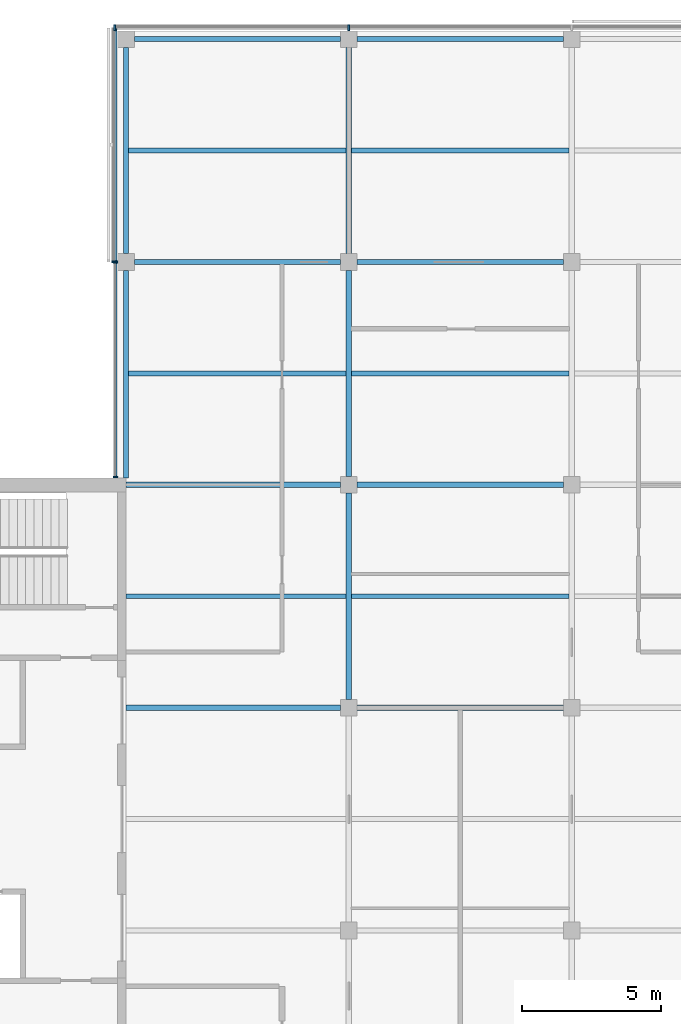
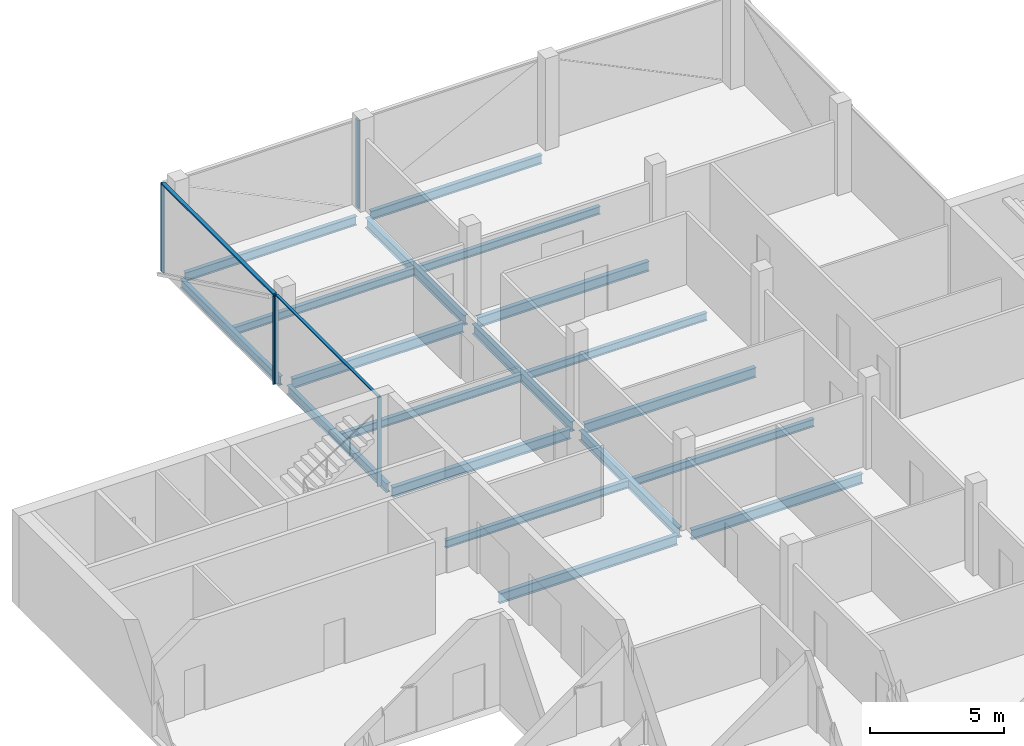
# One storey, part 5 of 16: 19 beams, 7 members, 3 elements without a shape of their own.
"""IFC4 building model written with IfcOpenShell, lengths in metres."""

from ifc_helpers import new_model, si_unit, direction, frame, origin, origin_2d, place, context, subcontext, project, spatial, rectangle, i_section, extrude, material, material_profile, profile_set, type_object, element, aggregate, save


model = new_model("IFC4")

# Units and contexts
model_context = context("Model", 3, precision=1e-05, world=origin(), true_north=direction((0.0, 1.0)))
body_context = subcontext(model_context, "Body", "Model", "MODEL_VIEW")
ifc_project = project(units=[si_unit("LENGTHUNIT", "METRE"), si_unit("AREAUNIT", "SQUARE_METRE"), si_unit("VOLUMEUNIT", "CUBIC_METRE"), si_unit("PLANEANGLEUNIT", "RADIAN"), si_unit("MASSUNIT", "GRAM", prefix="KILO")], contexts=[model_context])

# Site, building, storey
site_placement = place(None, origin())
site = spatial("IfcSite", under=ifc_project, at=site_placement, CompositionType="ELEMENT")
building_placement = place(site_placement, origin())
building = spatial("IfcBuilding", under=site, at=building_placement, Name="Crosswind Convention Tower", CompositionType="ELEMENT")
storey_placement = place(building_placement, frame((0.0, 0.0, 299.699951171875)))
storey = spatial("IfcBuildingStorey", under=building, at=storey_placement, Name="L65", CompositionType="ELEMENT", Elevation=299.699951171875)

# Beams
ifc_material_1 = material(Name="Steel S355", Category="steel")
ifc_material_profile_1 = material_profile(ifc_material_1, i_section(OverallWidth=0.177734375, OverallDepth=0.406494140625, WebThickness=0.0078125, FlangeThickness=0.0126953125, FilletRadius=0.01025390625, at=origin_2d()), Name="UB 406x178x60")
ifc_profile_set_1 = profile_set([ifc_material_profile_1], Name="Steel S355")
beam_type_1 = type_object("IfcBeamType", Name="Edge beam UB 406x178x60", PredefinedType="SPANDREL", material=ifc_profile_set_1)
beam_1_placement = place(storey_placement, frame((113.0, 112.25, -0.503173828125), z_axis=(0.0, 1.0, 0.0), x_axis=(-1.0, 0.0, 0.0)))
element("IfcBeam", 1, at=beam_1_placement, inside=storey, type_object=beam_type_1, Name="B15 L65 edge beam 3", PredefinedType="SPANDREL", context=body_context, shape_type="SweptSolid", body=[
    extrude(i_section(OverallWidth=0.177734375, OverallDepth=0.406494140625, WebThickness=0.0078125, FlangeThickness=0.0126953125, FilletRadius=0.01025390625, at=origin_2d()), origin(), (0.0, 0.0, 1.0), 7.449951171875),
])
for number, where, z_axis, x_axis, name in (
    (2, (113.0, 120.300048828125, -0.503173828125), (0.0, 1.0, 0.0), (-1.0, 0.0, 0.0), "B15 L65 edge beam 4"),
    (3, (113.300048828125, 128.0, -0.503173828125), (1.0, 0.0, 0.0), (0.0, 1.0, 0.0), "B15 L65 edge beam 6"),
    (4, (121.300048828125, 128.0, -0.503173828125), (1.0, 0.0, 0.0), (0.0, 1.0, 0.0), "B15 L65 edge beam 8"),
):
    element("IfcBeam", number, at=place(storey_placement, frame(where, z_axis=z_axis, x_axis=x_axis)), inside=storey, type_object=beam_type_1, Name=name, PredefinedType="SPANDREL", context=body_context, shape_type="SweptSolid", body=[
        extrude(i_section(OverallWidth=0.177734375, OverallDepth=0.406494140625, WebThickness=0.0078125, FlangeThickness=0.0126953125, FilletRadius=0.01025390625, at=origin_2d()), origin(), (0.0, 0.0, 1.0), 7.39990234375),
    ])
ifc_material_profile_2 = material_profile(ifc_material_1, i_section(OverallWidth=0.18994140625, OverallDepth=0.45361328125, WebThickness=0.008544921875, FlangeThickness=0.0126953125, FilletRadius=0.01025390625, at=origin_2d()), Name="UB 457x191x67")
ifc_profile_set_2 = profile_set([ifc_material_profile_2], Name="Steel S355")
beam_type_2 = type_object("IfcBeamType", Name="Girder UB 457x191x67", PredefinedType="BEAM", material=ifc_profile_set_2)
for number, where, z_axis, x_axis, name in (
    (5, (113.300048828125, 120.0, -0.52685546875), (1.0, 0.0, 0.0), (0.0, 1.0, 0.0), "B1 L65 girder 2"),
    (6, (121.0, 104.300048828125, -0.52685546875), (0.0, 1.0, 0.0), (-1.0, 0.0, 0.0), "B1 L65 girder 7"),
    (7, (121.0, 112.300048828125, -0.52685546875), (0.0, 1.0, 0.0), (-1.0, 0.0, 0.0), "B1 L65 girder 8"),
    (8, (121.0, 120.300048828125, -0.52685546875), (0.0, 1.0, 0.0), (-1.0, 0.0, 0.0), "B1 L65 girder 9"),
    (9, (121.300048828125, 104.0, -0.52685546875), (1.0, 0.0, 0.0), (0.0, 1.0, 0.0), "B1 L65 girder 13"),
    (10, (121.300048828125, 112.0, -0.52685546875), (1.0, 0.0, 0.0), (0.0, 1.0, 0.0), "B1 L65 girder 14"),
    (11, (121.300048828125, 120.0, -0.52685546875), (1.0, 0.0, 0.0), (0.0, 1.0, 0.0), "B1 L65 girder 15"),
):
    element("IfcBeam", number, at=place(storey_placement, frame(where, z_axis=z_axis, x_axis=x_axis)), inside=storey, type_object=beam_type_2, Name=name, PredefinedType="BEAM", context=body_context, shape_type="SweptSolid", body=[
        extrude(i_section(OverallWidth=0.18994140625, OverallDepth=0.45361328125, WebThickness=0.008544921875, FlangeThickness=0.0126953125, FilletRadius=0.01025390625, at=origin_2d()), origin(), (0.0, 0.0, 1.0), 7.39990234375),
    ])
ifc_material_profile_3 = material_profile(ifc_material_1, i_section(OverallWidth=0.1904296875, OverallDepth=0.457275390625, WebThickness=0.009033203125, FlangeThickness=0.014404296875, FilletRadius=0.01025390625, at=origin_2d()), Name="UB 457x191x75")
ifc_profile_set_3 = profile_set([ifc_material_profile_3], Name="Steel S355")
beam_type_3 = type_object("IfcBeamType", Name="Girder at core wall UB 457x191x75", PredefinedType="BEAM", material=ifc_profile_set_3)
for number, where, z_axis, x_axis, name in (
    (12, (113.0, 104.0, -0.528564453125), (1.0, 0.0, 0.0), (0.0, 1.0, 0.0), "B22 L65 girder at core wall 3"),
    (13, (113.0, 112.0, -0.528564453125), (1.0, 0.0, 0.0), (0.0, 1.0, 0.0), "B22 L65 girder at core wall 4"),
):
    element("IfcBeam", number, at=place(storey_placement, frame(where, z_axis=z_axis, x_axis=x_axis)), inside=storey, type_object=beam_type_3, Name=name, PredefinedType="BEAM", context=body_context, shape_type="SweptSolid", body=[
        extrude(i_section(OverallWidth=0.1904296875, OverallDepth=0.457275390625, WebThickness=0.009033203125, FlangeThickness=0.014404296875, FilletRadius=0.01025390625, at=origin_2d()), origin(), (0.0, 0.0, 1.0), 7.699951171875),
    ])

# Curtain wall, members
ifc_material_2 = material(Name="Aluminium unitised curtain wall", Category="aluminium")
curtain_wall_type_1 = type_object("IfcCurtainWallType", Name="CORE END SLOT WALL 160", PredefinedType="USERDEFINED", material=ifc_material_2)
curtain_wall_1_placement = place(storey_placement, origin())
curtain_wall_1 = element("IfcCurtainWall", 14, at=curtain_wall_1_placement, inside=storey, type_object=curtain_wall_type_1, Name="CW6 L65 N-W.1-2 slot", ObjectType="UNITISED", PredefinedType="USERDEFINED")
ifc_material_3 = material(Name="Aluminium mullion", Category="aluminium")
ifc_material_profile_4 = material_profile(ifc_material_3, rectangle(XDim=0.159912109375, YDim=0.050048828125, at=origin_2d()), Name="AL 160X50")
ifc_profile_set_4 = profile_set([ifc_material_profile_4], Name="Aluminium mullion")
member_type_1 = type_object("IfcMemberType", Name="MULLION 50X160", PredefinedType="MULLION", material=ifc_profile_set_4)
member_1_placement = place(storey_placement, frame((112.6201171875, 119.97509765625, -0.300048828125), z_axis=(0.0, 0.0, 1.0), x_axis=(-1.0, 0.0, 0.0)))
member_1 = element("IfcMember", 15, at=member_1_placement, type_object=member_type_1, Name="CW6 mullion 1", PredefinedType="MULLION", context=body_context, shape_type="SweptSolid", body=[
    extrude(rectangle(XDim=0.159912109375, YDim=0.050048828125, at=origin_2d()), origin(), (0.0, 0.0, 1.0), 4.050048828125),
])
member_2_placement = place(storey_placement, frame((112.6201171875, 112.27490234375, -0.300048828125), z_axis=(0.0, 0.0, 1.0), x_axis=(-1.0, 0.0, 0.0)))
member_2 = element("IfcMember", 16, at=member_2_placement, type_object=member_type_1, Name="CW6 mullion 2", PredefinedType="MULLION", context=body_context, shape_type="SweptSolid", body=[
    extrude(rectangle(XDim=0.159912109375, YDim=0.050048828125, at=origin_2d()), origin(), (0.0, 0.0, 1.0), 4.050048828125),
])

curtain_wall_type_2 = type_object("IfcCurtainWallType", Name="OFFICE UNITISED WALL 220", PredefinedType="USERDEFINED", material=ifc_material_2)
curtain_wall_2_placement = place(storey_placement, origin())
curtain_wall_2 = element("IfcCurtainWall", 17, at=curtain_wall_2_placement, inside=storey, type_object=curtain_wall_type_2, Name="CW3 L65 N-TIP 1", ObjectType="UNITISED", PredefinedType="USERDEFINED")
ifc_material_profile_5 = material_profile(ifc_material_3, rectangle(XDim=0.219970703125, YDim=0.070068359375, at=origin_2d()), Name="AL 220X70")
ifc_profile_set_5 = profile_set([ifc_material_profile_5], Name="Aluminium mullion")
member_type_2 = type_object("IfcMemberType", Name="MULLION 70X220", PredefinedType="MULLION", material=ifc_profile_set_5)
member_3_placement = place(storey_placement, frame((121.0, 128.409912109375, -0.300048828125), z_axis=(0.0, 0.0, 1.0), x_axis=(0.0, 1.0, 0.0)))
member_3 = element("IfcMember", 18, at=member_3_placement, type_object=member_type_2, Name="CW3 mullion 3", PredefinedType="MULLION", context=body_context, shape_type="SweptSolid", body=[
    extrude(rectangle(XDim=0.219970703125, YDim=0.070068359375, at=origin_2d()), origin(), (0.0, 0.0, 1.0), 4.030029296875),
])
member_4_placement = place(storey_placement, frame((112.590087890625, 128.409912109375, -0.300048828125), z_axis=(0.0, 0.0, 1.0), x_axis=(0.0, 1.0, 0.0)))
member_4 = element("IfcMember", 19, at=member_4_placement, type_object=member_type_2, Name="CW3 mullion 4", PredefinedType="MULLION", context=body_context, shape_type="SweptSolid", body=[
    extrude(rectangle(XDim=0.219970703125, YDim=0.070068359375, at=origin_2d()), origin(), (0.0, 0.0, 1.0), 4.030029296875),
])
aggregate(curtain_wall_2, [member_3, member_4])

# Curtain wall, member
curtain_wall_3_placement = place(storey_placement, origin())
curtain_wall_3 = element("IfcCurtainWall", 20, at=curtain_wall_3_placement, inside=storey, type_object=curtain_wall_type_2, Name="CW3 L65 N-W 1", ObjectType="UNITISED", PredefinedType="USERDEFINED")
member_5_placement = place(storey_placement, frame((112.590087890625, 120.0, -0.300048828125), z_axis=(0.0, 0.0, 1.0), x_axis=(-1.0, 0.0, 0.0)))
member_5 = element("IfcMember", 21, at=member_5_placement, type_object=member_type_2, Name="CW3 mullion 2", PredefinedType="MULLION", context=body_context, shape_type="SweptSolid", body=[
    extrude(rectangle(XDim=0.219970703125, YDim=0.070068359375, at=origin_2d()), origin(), (0.0, 0.0, 1.0), 4.030029296875),
])

# Beams
ifc_material_profile_6 = material_profile(ifc_material_1, i_section(OverallWidth=0.17138671875, OverallDepth=0.355712890625, WebThickness=0.00732421875, FlangeThickness=0.011474609375, FilletRadius=0.01025390625, at=origin_2d()), Name="UB 356x171x51")
ifc_profile_set_6 = profile_set([ifc_material_profile_6], Name="Steel S355")
beam_type_4 = type_object("IfcBeamType", Name="Secondary beam UB 356x171x51", PredefinedType="JOIST", material=ifc_profile_set_6)
beam_2_placement = place(storey_placement, frame((113.0, 108.0, -0.477783203125), z_axis=(1.0, 0.0, 0.0), x_axis=(0.0, 1.0, 0.0)))
element("IfcBeam", 22, at=beam_2_placement, inside=storey, type_object=beam_type_4, Name="B8 L65 secondary beam 3", PredefinedType="JOIST", context=body_context, shape_type="SweptSolid", body=[
    extrude(i_section(OverallWidth=0.17138671875, OverallDepth=0.355712890625, WebThickness=0.00732421875, FlangeThickness=0.011474609375, FilletRadius=0.01025390625, at=origin_2d()), origin(), (0.0, 0.0, 1.0), 7.905029296875),
])
for number, where, z_axis, x_axis, name in (
    (23, (113.0888671875, 116.0, -0.477783203125), (1.0, 0.0, 0.0), (0.0, 1.0, 0.0), "B8 L65 secondary beam 6"),
    (24, (113.0888671875, 124.0, -0.477783203125), (1.0, 0.0, 0.0), (0.0, 1.0, 0.0), "B8 L65 secondary beam 7"),
):
    element("IfcBeam", number, at=place(storey_placement, frame(where, z_axis=z_axis, x_axis=x_axis)), inside=storey, type_object=beam_type_4, Name=name, PredefinedType="JOIST", context=body_context, shape_type="SweptSolid", body=[
        extrude(i_section(OverallWidth=0.17138671875, OverallDepth=0.355712890625, WebThickness=0.00732421875, FlangeThickness=0.011474609375, FilletRadius=0.01025390625, at=origin_2d()), origin(), (0.0, 0.0, 1.0), 7.816162109375),
    ])
for number, where, z_axis, x_axis, name in (
    (25, (121.094970703125, 108.0, -0.477783203125), (1.0, 0.0, 0.0), (0.0, 1.0, 0.0), "B8 L65 secondary beam 12"),
    (26, (121.094970703125, 116.0, -0.477783203125), (1.0, 0.0, 0.0), (0.0, 1.0, 0.0), "B8 L65 secondary beam 13"),
    (27, (121.094970703125, 124.0, -0.477783203125), (1.0, 0.0, 0.0), (0.0, 1.0, 0.0), "B8 L65 secondary beam 14"),
):
    element("IfcBeam", number, at=place(storey_placement, frame(where, z_axis=z_axis, x_axis=x_axis)), inside=storey, type_object=beam_type_4, Name=name, PredefinedType="JOIST", context=body_context, shape_type="SweptSolid", body=[
        extrude(i_section(OverallWidth=0.17138671875, OverallDepth=0.355712890625, WebThickness=0.00732421875, FlangeThickness=0.011474609375, FilletRadius=0.01025390625, at=origin_2d()), origin(), (0.0, 0.0, 1.0), 7.81005859375),
    ])

# Member
ifc_material_4 = material(Name="Aluminium transom", Category="aluminium")
ifc_material_profile_7 = material_profile(ifc_material_4, rectangle(XDim=0.1201171875, YDim=0.050048828125, at=origin_2d()), Name="AL 120X50")
ifc_profile_set_7 = profile_set([ifc_material_profile_7], Name="Aluminium transom")
member_type_3 = type_object("IfcMemberType", Name="TRANSOM 50X120", PredefinedType="USERDEFINED", material=ifc_profile_set_7)
member_6_placement = place(storey_placement, frame((112.6201171875, 119.949951171875, 3.775146484375), z_axis=(0.0, -1.0, 0.0), x_axis=(1.0, 0.0, 0.0)))
member_6 = element("IfcMember", 28, at=member_6_placement, type_object=member_type_3, Name="CW6 transom", ObjectType="TRANSOM", PredefinedType="USERDEFINED", context=body_context, shape_type="SweptSolid", body=[
    extrude(rectangle(XDim=0.1201171875, YDim=0.050048828125, at=origin_2d()), origin(), (0.0, 0.0, 1.0), 7.64990234375),
])

aggregate(curtain_wall_1, [member_1, member_2, member_6])

ifc_material_profile_8 = material_profile(ifc_material_4, rectangle(XDim=0.159912109375, YDim=0.070068359375, at=origin_2d()), Name="AL 160X70")
ifc_profile_set_8 = profile_set([ifc_material_profile_8], Name="Aluminium transom")
member_type_4 = type_object("IfcMemberType", Name="TRANSOM 70X160", PredefinedType="USERDEFINED", material=ifc_profile_set_8)
member_7_placement = place(storey_placement, frame((112.590087890625, 128.375, 3.76513671875), z_axis=(0.0, -1.0, 0.0), x_axis=(1.0, 0.0, 0.0)))
member_7 = element("IfcMember", 29, at=member_7_placement, type_object=member_type_4, Name="CW3 transom", ObjectType="TRANSOM", PredefinedType="USERDEFINED", context=body_context, shape_type="SweptSolid", body=[
    extrude(rectangle(XDim=0.159912109375, YDim=0.070068359375, at=origin_2d()), origin(), (0.0, 0.0, 1.0), 8.340087890625),
])

aggregate(curtain_wall_3, [member_5, member_7])

save(model, "model.ifc")
